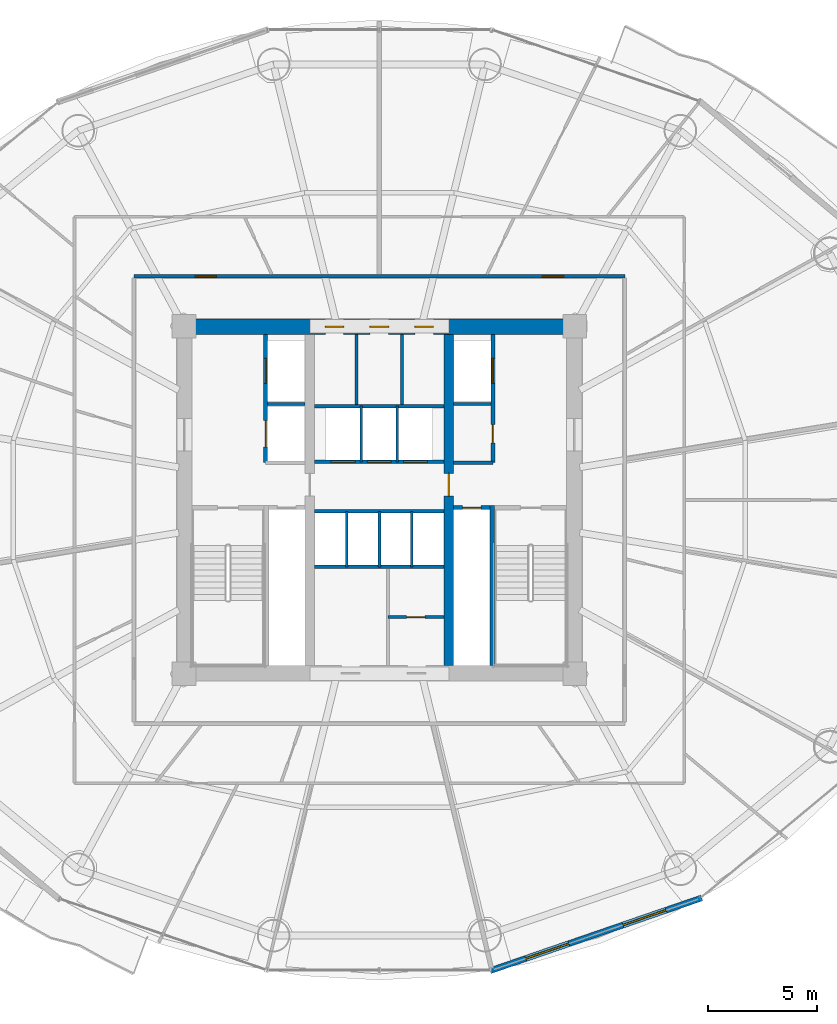
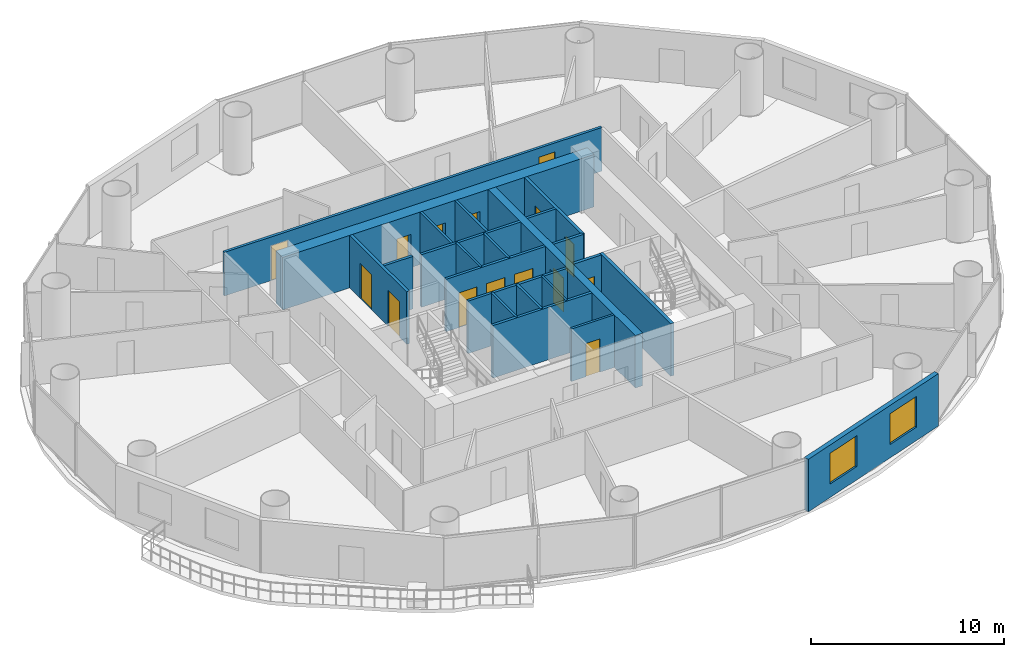
# One storey, part 23 of 29: 23 walls, 15 doors, 2 windows, 17 openings.
"""IFC4 building model written with IfcOpenShell, lengths in metres."""

from ifc_helpers import new_model, si_unit, direction, frame, frame_2d, origin, place, context, subcontext, project, spatial, rectangle, extrude, source, transform, mapped, material, layer, layer_set, type_object, element, fill, save


model = new_model("IFC4")

# Units and contexts
model_context = context("Model", 3, precision=1e-05, world=origin(), true_north=direction((-0.2419218956, 0.970295726276)))
body_context = subcontext(model_context, "Body", "Model", "MODEL_VIEW")
ifc_project = project(units=[si_unit("LENGTHUNIT", "METRE"), si_unit("AREAUNIT", "SQUARE_METRE"), si_unit("VOLUMEUNIT", "CUBIC_METRE"), si_unit("PLANEANGLEUNIT", "RADIAN"), si_unit("MASSUNIT", "GRAM", prefix="KILO")], contexts=[model_context])

# Site, building, storey
site_placement = place(None, origin())
site = spatial("IfcSite", under=ifc_project, at=site_placement, CompositionType="ELEMENT")
building_placement = place(site_placement, origin())
building = spatial("IfcBuilding", under=site, at=building_placement, Name="Cobrevalo Terracotta Tower", CompositionType="ELEMENT")
storey_placement = place(building_placement, frame((0.0, 0.0, 79.800048828125)))
storey = spatial("IfcBuildingStorey", under=building, at=storey_placement, Name="L20", CompositionType="ELEMENT", Elevation=79.800048828125)

# Wall, openings, doors
ifc_material_1 = material(Name="Concrete C60", Category="concrete")
ifc_layer_1 = layer(ifc_material_1, 0.699951171875)
ifc_layer_set_1 = layer_set([ifc_layer_1], Name="Concrete C60")
wall_type_1 = type_object("IfcWallType", Name="Core shear wall 700 mm Concrete C60", PredefinedType="SHEAR", material=ifc_layer_set_1)
wall_1_placement = place(storey_placement, frame((28.675048828125, 34.77490234375, 0.0), z_axis=(0.0, 0.0, 1.0), x_axis=(1.0, 0.0, 0.0)))
wall_1 = element("IfcWall", 1, at=wall_1_placement, inside=storey, type_object=wall_type_1, Name="L20 north core shear wall", PredefinedType="SHEAR", context=body_context, shape_type="SweptSolid", body=[
    extrude(rectangle(XDim=18.64990234375, YDim=0.699951171875, at=frame_2d((9.324951171875, 0.0))), origin(), (0.0, 0.0, 1.0), 3.324951171875),
])
opening_1_placement = place(wall_1_placement, frame((6.83740234375, 0.0, 0.0)))
opening_1 = element("IfcOpeningElement", 2, at=opening_1_placement, cuts=wall_1, Name="Opening ID-22", PredefinedType="OPENING", context=body_context, shape_type="SweptSolid", body=[
    extrude(rectangle(XDim=0.85009765625, YDim=2.10009765625, at=frame_2d((0.425048828125, 1.050048828125))), frame((0.0, 0.35986328125, 0.0), z_axis=(0.0, -1.0, 0.0), x_axis=(1.0, 0.0, 0.0)), (0.0, 0.0, 1.0), 0.719970703125),
])
opening_2_placement = place(wall_1_placement, frame((8.89501953125, 0.0, 0.0)))
opening_2 = element("IfcOpeningElement", 3, at=opening_2_placement, cuts=wall_1, Name="Opening ID-07", PredefinedType="OPENING", context=body_context, shape_type="SweptSolid", body=[
    extrude(rectangle(XDim=0.860107421875, YDim=2.10009765625, at=frame_2d((0.43017578125, 1.050048828125))), frame((0.0, 0.35986328125, 0.0), z_axis=(0.0, -1.0, 0.0), x_axis=(1.0, 0.0, 0.0)), (0.0, 0.0, 1.0), 0.719970703125),
])
opening_3_placement = place(wall_1_placement, frame((10.96240234375, 0.0, 0.0)))
opening_3 = element("IfcOpeningElement", 4, at=opening_3_placement, cuts=wall_1, Name="Opening ID-22", PredefinedType="OPENING", context=body_context, shape_type="SweptSolid", body=[
    extrude(rectangle(XDim=0.85009765625, YDim=2.10009765625, at=frame_2d((0.425048828125, 1.050048828125))), frame((0.0, 0.35986328125, 0.0), z_axis=(0.0, -1.0, 0.0), x_axis=(1.0, 0.0, 0.0)), (0.0, 0.0, 1.0), 0.719970703125),
])
ifc_material_2 = material(Name="Powder-coated steel", Category="steel")
door_type_1 = type_object("IfcDoorType", Name="Riser shaft & meter closet fire access door 850x2100 EI 60", OperationType="NOTDEFINED", PredefinedType="DOOR", material=ifc_material_2)
shared_shape_1 = source(origin(), body_context, "Body", "SweptSolid", [
    extrude(rectangle(XDim=0.85009765625, YDim=2.10009765625, at=frame_2d((0.425048828125, 1.050048828125))), frame((0.0, 0.02490234375, 0.0), z_axis=(0.0, -1.0, 0.0), x_axis=(1.0, 0.0, 0.0)), (0.0, 0.0, 1.0), 0.050048828125),
])
door_1_placement = place(opening_1_placement, frame((0.85009765625, 0.0, 0.0), z_axis=(0.0, 0.0, 1.0), x_axis=(-1.0, 0.0, 0.0)))
door_1 = element("IfcDoor", 5, at=door_1_placement, inside=storey, type_object=door_type_1, Name="L20 core north service door Housekeeping Linen Store", OperationType="SINGLE_SWING_LEFT", OverallHeight=2.10009765625, OverallWidth=0.85009765625, PredefinedType="DOOR", context=body_context, shape_type="MappedRepresentation", body=[
    mapped(shared_shape_1, transform((0.0, 0.0, 0.0), scale=1.0)),
])
fill(opening_1, door_1)
door_2_placement = place(opening_3_placement, frame((0.85009765625, 0.0, 0.0), z_axis=(0.0, 0.0, 1.0), x_axis=(-1.0, 0.0, 0.0)))
door_2 = element("IfcDoor", 6, at=door_2_placement, inside=storey, type_object=door_type_1, Name="L20 core north service door Floor BMS Mechanical Plant", OperationType="SINGLE_SWING_LEFT", OverallHeight=2.10009765625, OverallWidth=0.85009765625, PredefinedType="DOOR", context=body_context, shape_type="MappedRepresentation", body=[
    mapped(shared_shape_1, transform((0.0, 0.0, 0.0), scale=1.0)),
])
fill(opening_3, door_2)
ifc_material_3 = material(Name="Fire-rated moisture-sealed timber", Category="wood")
door_type_2 = type_object("IfcDoorType", Name="Core & podium fire-rated accessible WC door 860x2100 EI 60", OperationType="NOTDEFINED", PredefinedType="DOOR", material=ifc_material_3)
shared_shape_2 = source(origin(), body_context, "Body", "SweptSolid", [
    extrude(rectangle(XDim=0.860107421875, YDim=2.10009765625, at=frame_2d((0.43017578125, 1.050048828125))), frame((0.0, 0.02490234375, 0.0), z_axis=(0.0, -1.0, 0.0), x_axis=(1.0, 0.0, 0.0)), (0.0, 0.0, 1.0), 0.050048828125),
])
door_3_placement = place(opening_2_placement, frame((0.860107421875, 0.0, 0.0), z_axis=(0.0, 0.0, 1.0), x_axis=(-1.0, 0.0, 0.0)))
door_3 = element("IfcDoor", 7, at=door_3_placement, inside=storey, type_object=door_type_2, Name="L20 core north service door Floor Service Toilet WC", OperationType="SINGLE_SWING_RIGHT", OverallHeight=2.10009765625, OverallWidth=0.860107421875, PredefinedType="DOOR", context=body_context, shape_type="MappedRepresentation", body=[
    mapped(shared_shape_2, transform((0.0, 0.0, 0.0), scale=1.0)),
])
fill(opening_2, door_3)

# Walls
ifc_material_4 = material(Name="Gypsum board on steel stud", Category="steel")
ifc_layer_2 = layer(ifc_material_4, 0.159912109375)
ifc_layer_set_2 = layer_set([ifc_layer_2], Name="Gypsum board on steel stud")
wall_type_2 = type_object("IfcWallType", Name="Fire-rated corridor acoustic partition wall 160 mm", PredefinedType="PARTITIONING", material=ifc_layer_set_2)
for number, where, z_axis, x_axis, name in (
    (8, (32.860107421875, 31.219970703125, 0.0), (0.0, 0.0, 1.0), (1.0, 0.0, 0.0), "L20 interior partition IW-L20-FF1-M"),
    (9, (41.425048828125, 31.219970703125, 0.0), (0.0, 0.0, 1.0), (1.0, 0.0, 0.0), "L20 interior partition IW-L20-FF2-M"),
):
    element("IfcWall", number, at=place(storey_placement, frame(where, z_axis=z_axis, x_axis=x_axis)), inside=storey, type_object=wall_type_2, Name=name, PredefinedType="PARTITIONING", context=body_context, shape_type="SweptSolid", body=[
        extrude(rectangle(XDim=1.71484375, YDim=0.159912109375, at=frame_2d((0.857421875, 0.0))), origin(), (0.0, 0.0, 1.0), 3.324951171875),
    ])
wall_2_placement = place(storey_placement, frame((41.425048828125, 28.52001953125, 0.0), z_axis=(0.0, 0.0, 1.0), x_axis=(1.0, 0.0, 0.0)))
element("IfcWall", 10, at=wall_2_placement, inside=storey, type_object=wall_type_2, Name="L20 interior partition IW-L20-FF2-S", PredefinedType="PARTITIONING", context=body_context, shape_type="SweptSolid", body=[
    extrude(rectangle(XDim=1.804931640625, YDim=0.159912109375, at=frame_2d((0.90234375, 0.0))), origin(), (0.0, 0.0, 1.0), 3.324951171875),
])

# Wall, openings, doors
wall_3_placement = place(storey_placement, frame((35.02490234375, 28.56005859375, 0.0), z_axis=(0.0, 0.0, 1.0), x_axis=(1.0, 0.0, 0.0)))
wall_3 = element("IfcWall", 11, at=wall_3_placement, inside=storey, type_object=wall_type_2, Name="L20 interior partition IW-L20-LB-S", PredefinedType="PARTITIONING", context=body_context, shape_type="SweptSolid", body=[
    extrude(rectangle(XDim=5.9501953125, YDim=0.159912109375, at=frame_2d((2.97509765625, 0.0))), origin(), (0.0, 0.0, 1.0), 3.324951171875),
])
opening_4_placement = place(wall_3_placement, frame((0.760009765625, 0.0, 0.0)))
opening_4 = element("IfcOpeningElement", 12, at=opening_4_placement, cuts=wall_3, Name="Opening LD-01", PredefinedType="OPENING", context=body_context, shape_type="SweptSolid", body=[
    extrude(rectangle(XDim=1.10009765625, YDim=2.199951171875, at=frame_2d((0.550048828125, 1.10009765625))), frame((0.0, 0.08984375, 0.0), z_axis=(0.0, -1.0, 0.0), x_axis=(1.0, 0.0, 0.0)), (0.0, 0.0, 1.0), 0.179931640625),
])
opening_5_placement = place(wall_3_placement, frame((2.425048828125, 0.0, 0.0)))
opening_5 = element("IfcOpeningElement", 13, at=opening_5_placement, cuts=wall_3, Name="Opening LD-01", PredefinedType="OPENING", context=body_context, shape_type="SweptSolid", body=[
    extrude(rectangle(XDim=1.10009765625, YDim=2.199951171875, at=frame_2d((0.550048828125, 1.10009765625))), frame((0.0, 0.08984375, 0.0), z_axis=(0.0, -1.0, 0.0), x_axis=(1.0, 0.0, 0.0)), (0.0, 0.0, 1.0), 0.179931640625),
])
opening_6_placement = place(wall_3_placement, frame((4.090087890625, 0.0, 0.0)))
opening_6 = element("IfcOpeningElement", 14, at=opening_6_placement, cuts=wall_3, Name="Opening LD-01", PredefinedType="OPENING", context=body_context, shape_type="SweptSolid", body=[
    extrude(rectangle(XDim=1.10009765625, YDim=2.199951171875, at=frame_2d((0.550048828125, 1.10009765625))), frame((0.0, 0.08984375, 0.0), z_axis=(0.0, -1.0, 0.0), x_axis=(1.0, 0.0, 0.0)), (0.0, 0.0, 1.0), 0.179931640625),
])
ifc_material_5 = material(Name="Brushed stainless steel", Category="steel")
door_type_3 = type_object("IfcDoorType", Name="Passenger lift landing bi-parting sliding door 1100x2200 EI 90", OperationType="DOUBLE_DOOR_SLIDING", PredefinedType="DOOR", material=ifc_material_5)
shared_shape_3 = source(origin(), body_context, "Body", "SweptSolid", [
    extrude(rectangle(XDim=1.10009765625, YDim=2.199951171875, at=frame_2d((0.550048828125, 1.10009765625))), frame((0.0, 0.02490234375, 0.0), z_axis=(0.0, -1.0, 0.0), x_axis=(1.0, 0.0, 0.0)), (0.0, 0.0, 1.0), 0.050048828125),
])
door_4_placement = place(opening_4_placement, origin())
door_4 = element("IfcDoor", 15, at=door_4_placement, inside=storey, type_object=door_type_3, Name="L20 lift landing door PL-L1", OperationType="DOUBLE_DOOR_SLIDING", OverallHeight=2.199951171875, OverallWidth=1.10009765625, PredefinedType="DOOR", context=body_context, shape_type="MappedRepresentation", body=[
    mapped(shared_shape_3, transform((0.0, 0.0, 0.0), scale=1.0)),
])
fill(opening_4, door_4)
door_5_placement = place(opening_5_placement, origin())
door_5 = element("IfcDoor", 16, at=door_5_placement, inside=storey, type_object=door_type_3, Name="L20 lift landing door PL-L2", OperationType="DOUBLE_DOOR_SLIDING", OverallHeight=2.199951171875, OverallWidth=1.10009765625, PredefinedType="DOOR", context=body_context, shape_type="MappedRepresentation", body=[
    mapped(shared_shape_3, transform((0.0, 0.0, 0.0), scale=1.0)),
])
fill(opening_5, door_5)
door_6_placement = place(opening_6_placement, origin())
door_6 = element("IfcDoor", 17, at=door_6_placement, inside=storey, type_object=door_type_3, Name="L20 lift landing door PL-L3", OperationType="DOUBLE_DOOR_SLIDING", OverallHeight=2.199951171875, OverallWidth=1.10009765625, PredefinedType="DOOR", context=body_context, shape_type="MappedRepresentation", body=[
    mapped(shared_shape_3, transform((0.0, 0.0, 0.0), scale=1.0)),
])
fill(opening_6, door_6)

# Walls
for number, where, z_axis, x_axis, name in (
    (18, (35.02490234375, 31.1201171875, 0.0), (0.0, 0.0, 1.0), (1.0, 0.0, 0.0), "L20 interior partition IW-L20-LB-N"),
    (19, (35.02490234375, 26.280029296875, 0.0), (0.0, 0.0, 1.0), (1.0, 0.0, 0.0), "L20 interior partition IW-L20-MB-N"),
    (20, (35.02490234375, 23.719970703125, 0.0), (0.0, 0.0, 1.0), (1.0, 0.0, 0.0), "L20 interior partition IW-L20-MB-S"),
):
    element("IfcWall", number, at=place(storey_placement, frame(where, z_axis=z_axis, x_axis=x_axis)), inside=storey, type_object=wall_type_2, Name=name, PredefinedType="PARTITIONING", context=body_context, shape_type="SweptSolid", body=[
        extrude(rectangle(XDim=5.9501953125, YDim=0.159912109375, at=frame_2d((2.97509765625, 0.0))), origin(), (0.0, 0.0, 1.0), 3.324951171875),
    ])

# Wall, openings, doors
wall_4_placement = place(storey_placement, frame((26.695068359375, 37.10498046875, 0.0), z_axis=(0.0, 0.0, 1.0), x_axis=(1.0, 0.0, 0.0)))
wall_4 = element("IfcWall", 21, at=wall_4_placement, inside=storey, type_object=wall_type_2, Name="L20 interior partition IW-L20-COR-N", PredefinedType="PARTITIONING", context=body_context, shape_type="SweptSolid", body=[
    extrude(rectangle(XDim=22.60986328125, YDim=0.159912109375, at=frame_2d((11.304931640625, 0.0))), origin(), (0.0, 0.0, 1.0), 2.766845703125),
])
opening_7_placement = place(wall_4_placement, frame((18.8115234375, 0.0, 0.0)))
opening_7 = element("IfcOpeningElement", 22, at=opening_7_placement, cuts=wall_4, Name="Opening ID-05", PredefinedType="OPENING", context=body_context, shape_type="SweptSolid", body=[
    extrude(rectangle(XDim=0.97998046875, YDim=2.199951171875, at=frame_2d((0.489990234375, 1.10009765625))), frame((0.0, 0.08984375, 0.0), z_axis=(0.0, -1.0, 0.0), x_axis=(1.0, 0.0, 0.0)), (0.0, 0.0, 1.0), 0.179931640625),
])
opening_8_placement = place(wall_4_placement, frame((2.8232421875, 0.0, 0.0)))
opening_8 = element("IfcOpeningElement", 23, at=opening_8_placement, cuts=wall_4, Name="Opening ID-05", PredefinedType="OPENING", context=body_context, shape_type="SweptSolid", body=[
    extrude(rectangle(XDim=0.97998046875, YDim=2.199951171875, at=frame_2d((0.489990234375, 1.10009765625))), frame((0.0, 0.08984375, 0.0), z_axis=(0.0, -1.0, 0.0), x_axis=(1.0, 0.0, 0.0)), (0.0, 0.0, 1.0), 0.179931640625),
])
ifc_material_6 = material(Name="Solid hardwood timber", Category="wood")
door_type_4 = type_object("IfcDoorType", Name="Residence entrance fire-rated acoustic timber door 980x2200 EI 60", OperationType="NOTDEFINED", PredefinedType="DOOR", material=ifc_material_6)
shared_shape_4 = source(origin(), body_context, "Body", "SweptSolid", [
    extrude(rectangle(XDim=0.97998046875, YDim=2.199951171875, at=frame_2d((0.489990234375, 1.10009765625))), frame((0.0, 0.02490234375, 0.0), z_axis=(0.0, -1.0, 0.0), x_axis=(1.0, 0.0, 0.0)), (0.0, 0.0, 1.0), 0.050048828125),
])
door_7_placement = place(opening_7_placement, frame((0.97998046875, 0.0, 0.0), z_axis=(0.0, 0.0, 1.0), x_axis=(-1.0, 0.0, 0.0)))
door_7 = element("IfcDoor", 24, at=door_7_placement, inside=storey, type_object=door_type_4, Name="Flat L20A fire-rated apartment entrance door", OperationType="SINGLE_SWING_RIGHT", OverallHeight=2.199951171875, OverallWidth=0.97998046875, PredefinedType="DOOR", context=body_context, shape_type="MappedRepresentation", body=[
    mapped(shared_shape_4, transform((0.0, 0.0, 0.0), scale=1.0)),
])
fill(opening_7, door_7)
door_8_placement = place(opening_8_placement, frame((0.97998046875, 0.0, 0.0), z_axis=(0.0, 0.0, 1.0), x_axis=(-1.0, 0.0, 0.0)))
door_8 = element("IfcDoor", 25, at=door_8_placement, inside=storey, type_object=door_type_4, Name="Flat L20B fire-rated apartment entrance door", OperationType="SINGLE_SWING_LEFT", OverallHeight=2.199951171875, OverallWidth=0.97998046875, PredefinedType="DOOR", context=body_context, shape_type="MappedRepresentation", body=[
    mapped(shared_shape_4, transform((0.0, 0.0, 0.0), scale=1.0)),
])
fill(opening_8, door_8)

# Wall, opening, door
ifc_layer_3 = layer(ifc_material_4, 0.179931640625)
ifc_layer_set_3 = layer_set([ifc_layer_3], Name="Gypsum board on steel stud")
wall_type_3 = type_object("IfcWallType", Name="Fire-rated shaft & lobby acoustic partition wall 180 mm", PredefinedType="PARTITIONING", material=ifc_layer_set_3)
wall_5_placement = place(storey_placement, frame((41.425048828125, 26.449951171875, 0.0), z_axis=(0.0, 0.0, 1.0), x_axis=(1.0, 0.0, 0.0)))
wall_5 = element("IfcWall", 26, at=wall_5_placement, inside=storey, type_object=wall_type_3, Name="L20 interior partition IW-L20-RSE-N", PredefinedType="PARTITIONING", context=body_context, shape_type="SweptSolid", body=[
    extrude(rectangle(XDim=1.675048828125, YDim=0.179931640625, at=frame_2d((0.83740234375, 0.0))), origin(), (0.0, 0.0, 1.0), 3.324951171875),
])
opening_9_placement = place(wall_5_placement, frame((0.41259765625, 0.0, 0.0)))
opening_9 = element("IfcOpeningElement", 27, at=opening_9_placement, cuts=wall_5, Name="Opening ID-22", PredefinedType="OPENING", context=body_context, shape_type="SweptSolid", body=[
    extrude(rectangle(XDim=0.85009765625, YDim=2.10009765625, at=frame_2d((0.425048828125, 1.050048828125))), frame((0.0, 0.10009765625, 0.0), z_axis=(0.0, -1.0, 0.0), x_axis=(1.0, 0.0, 0.0)), (0.0, 0.0, 1.0), 0.199951171875),
])
door_9_placement = place(opening_9_placement, origin())
door_9 = element("IfcDoor", 28, at=door_9_placement, inside=storey, type_object=door_type_1, Name="L20 riser access door RSE", OperationType="SINGLE_SWING_RIGHT", OverallHeight=2.10009765625, OverallWidth=0.85009765625, PredefinedType="DOOR", context=body_context, shape_type="MappedRepresentation", body=[
    mapped(shared_shape_1, transform((0.0, 0.0, 0.0), scale=1.0)),
])
fill(opening_9, door_9)

# Wall, openings, doors
wall_6_placement = place(storey_placement, frame((32.77001953125, 28.52001953125, 0.0), z_axis=(0.0, 0.0, 1.0), x_axis=(0.0, 1.0, 0.0)))
wall_6 = element("IfcWall", 29, at=wall_6_placement, inside=storey, type_object=wall_type_3, Name="L20 interior partition IW-L20-FF1-W", PredefinedType="PARTITIONING", context=body_context, shape_type="SweptSolid", body=[
    extrude(rectangle(XDim=5.905029296875, YDim=0.179931640625, at=frame_2d((2.95263671875, 0.0))), origin(), (0.0, 0.0, 1.0), 3.324951171875),
])
opening_10_placement = place(wall_6_placement, frame((3.655029296875, 0.0, 0.0)))
opening_10 = element("IfcOpeningElement", 30, at=opening_10_placement, cuts=wall_6, Name="Opening LD-02", PredefinedType="OPENING", context=body_context, shape_type="SweptSolid", body=[
    extrude(rectangle(XDim=1.14990234375, YDim=2.199951171875, at=frame_2d((0.574951171875, 1.10009765625))), frame((0.0, 0.10009765625, 0.0), z_axis=(0.0, -1.0, 0.0), x_axis=(1.0, 0.0, 0.0)), (0.0, 0.0, 1.0), 0.199951171875),
])
opening_11_placement = place(wall_6_placement, frame((0.72998046875, 0.0, 0.0)))
opening_11 = element("IfcOpeningElement", 31, at=opening_11_placement, cuts=wall_6, Name="Opening LD-03", PredefinedType="OPENING", context=body_context, shape_type="SweptSolid", body=[
    extrude(rectangle(XDim=1.199951171875, YDim=2.25, at=frame_2d((0.60009765625, 1.125))), frame((0.0, 0.10009765625, 0.0), z_axis=(0.0, -1.0, 0.0), x_axis=(1.0, 0.0, 0.0)), (0.0, 0.0, 1.0), 0.199951171875),
])
door_type_5 = type_object("IfcDoorType", Name="Firefighting lift landing bi-parting sliding door 1150x2200 EI 120", OperationType="DOUBLE_DOOR_SLIDING", PredefinedType="DOOR", material=ifc_material_5)
shared_shape_5 = source(origin(), body_context, "Body", "SweptSolid", [
    extrude(rectangle(XDim=1.14990234375, YDim=2.199951171875, at=frame_2d((0.574951171875, 1.10009765625))), frame((0.0, 0.02490234375, 0.0), z_axis=(0.0, -1.0, 0.0), x_axis=(1.0, 0.0, 0.0)), (0.0, 0.0, 1.0), 0.050048828125),
])
door_10_placement = place(opening_10_placement, origin())
door_10 = element("IfcDoor", 32, at=door_10_placement, inside=storey, type_object=door_type_5, Name="L20 lift landing door FF-1", OperationType="DOUBLE_DOOR_SLIDING", OverallHeight=2.199951171875, OverallWidth=1.14990234375, PredefinedType="DOOR", context=body_context, shape_type="MappedRepresentation", body=[
    mapped(shared_shape_5, transform((0.0, 0.0, 0.0), scale=1.0)),
])
fill(opening_10, door_10)
door_type_6 = type_object("IfcDoorType", Name="Service lift landing bi-parting sliding door 1200x2250 EI 120", OperationType="DOUBLE_DOOR_SLIDING", PredefinedType="DOOR", material=ifc_material_5)
shared_shape_6 = source(origin(), body_context, "Body", "SweptSolid", [
    extrude(rectangle(XDim=1.199951171875, YDim=2.25, at=frame_2d((0.60009765625, 1.125))), frame((0.0, 0.02490234375, 0.0), z_axis=(0.0, -1.0, 0.0), x_axis=(1.0, 0.0, 0.0)), (0.0, 0.0, 1.0), 0.050048828125),
])
door_11_placement = place(opening_11_placement, origin())
door_11 = element("IfcDoor", 33, at=door_11_placement, inside=storey, type_object=door_type_6, Name="L20 lift landing door SV-1", OperationType="DOUBLE_DOOR_SLIDING", OverallHeight=2.25, OverallWidth=1.199951171875, PredefinedType="DOOR", context=body_context, shape_type="MappedRepresentation", body=[
    mapped(shared_shape_6, transform((0.0, 0.0, 0.0), scale=1.0)),
])
fill(opening_11, door_11)

wall_7_placement = place(storey_placement, frame((43.22998046875, 28.52001953125, 0.0), z_axis=(0.0, 0.0, 1.0), x_axis=(0.0, 1.0, 0.0)))
wall_7 = element("IfcWall", 34, at=wall_7_placement, inside=storey, type_object=wall_type_3, Name="L20 interior partition IW-L20-FF2-E", PredefinedType="PARTITIONING", context=body_context, shape_type="SweptSolid", body=[
    extrude(rectangle(XDim=5.905029296875, YDim=0.179931640625, at=frame_2d((2.95263671875, 0.0))), origin(), (0.0, 0.0, 1.0), 3.324951171875),
])
opening_12_placement = place(wall_7_placement, frame((0.905029296875, 0.0, 0.0)))
opening_12 = element("IfcOpeningElement", 35, at=opening_12_placement, cuts=wall_7, Name="Opening ID-22", PredefinedType="OPENING", context=body_context, shape_type="SweptSolid", body=[
    extrude(rectangle(XDim=0.85009765625, YDim=2.10009765625, at=frame_2d((0.425048828125, 1.050048828125))), frame((0.0, 0.10009765625, 0.0), z_axis=(0.0, -1.0, 0.0), x_axis=(1.0, 0.0, 0.0)), (0.0, 0.0, 1.0), 0.199951171875),
])
opening_13_placement = place(wall_7_placement, frame((3.655029296875, 0.0, 0.0)))
opening_13 = element("IfcOpeningElement", 36, at=opening_13_placement, cuts=wall_7, Name="Opening LD-02", PredefinedType="OPENING", context=body_context, shape_type="SweptSolid", body=[
    extrude(rectangle(XDim=1.14990234375, YDim=2.199951171875, at=frame_2d((0.574951171875, 1.10009765625))), frame((0.0, 0.10009765625, 0.0), z_axis=(0.0, -1.0, 0.0), x_axis=(1.0, 0.0, 0.0)), (0.0, 0.0, 1.0), 0.199951171875),
])
door_12_placement = place(opening_12_placement, frame((0.85009765625, 0.0, 0.0), z_axis=(0.0, 0.0, 1.0), x_axis=(-1.0, 0.0, 0.0)))
door_12 = element("IfcDoor", 37, at=door_12_placement, inside=storey, type_object=door_type_1, Name="L20 housekeeping store door", OperationType="SINGLE_SWING_RIGHT", OverallHeight=2.10009765625, OverallWidth=0.85009765625, PredefinedType="DOOR", context=body_context, shape_type="MappedRepresentation", body=[
    mapped(shared_shape_1, transform((0.0, 0.0, 0.0), scale=1.0)),
])
fill(opening_12, door_12)
door_13_placement = place(opening_13_placement, origin())
door_13 = element("IfcDoor", 38, at=door_13_placement, inside=storey, type_object=door_type_5, Name="L20 lift landing door FF-2", OperationType="DOUBLE_DOOR_SLIDING", OverallHeight=2.199951171875, OverallWidth=1.14990234375, PredefinedType="DOOR", context=body_context, shape_type="MappedRepresentation", body=[
    mapped(shared_shape_5, transform((0.0, 0.0, 0.0), scale=1.0)),
])
fill(opening_13, door_13)

# Walls
ifc_material_7 = material(Name="Autoclaved aerated concrete block", Category="concrete")
ifc_layer_4 = layer(ifc_material_7, 0.1201171875)
ifc_layer_set_4 = layer_set([ifc_layer_4], Name="Autoclaved aerated concrete block")
wall_type_4 = type_object("IfcWallType", Name="Fire-rated wet-room & core service partition 120 mm", PredefinedType="PARTITIONING", material=ifc_layer_set_4)
for number, where, z_axis, x_axis, name in (
    (39, (37.169921875, 28.56005859375, 0.0), (0.0, 0.0, 1.0), (0.0, 1.0, 0.0), "L20 interior partition IW-L20-LB-D1"),
    (40, (38.830078125, 28.56005859375, 0.0), (0.0, 0.0, 1.0), (0.0, 1.0, 0.0), "L20 interior partition IW-L20-LB-D2"),
    (41, (36.5, 23.719970703125, 0.0), (0.0, 0.0, 1.0), (0.0, 1.0, 0.0), "L20 interior partition IW-L20-MB-D1"),
    (42, (39.5, 23.719970703125, 0.0), (0.0, 0.0, 1.0), (0.0, 1.0, 0.0), "L20 interior partition IW-L20-MB-D3"),
):
    element("IfcWall", number, at=place(storey_placement, frame(where, z_axis=z_axis, x_axis=x_axis)), inside=storey, type_object=wall_type_4, Name=name, PredefinedType="PARTITIONING", context=body_context, shape_type="SweptSolid", body=[
        extrude(rectangle(XDim=2.56005859375, YDim=0.1201171875, at=frame_2d((1.280029296875, 0.0))), origin(), (0.0, 0.0, 1.0), 3.324951171875),
    ])

# Wall, openings, windows
ifc_layer_5 = layer(ifc_material_7, 0.280029296875)
ifc_layer_set_5 = layer_set([ifc_layer_5], Name="Autoclaved aerated concrete block")
wall_type_5 = type_object("IfcWallType", Name="Insulated tower spandrel & pier wall 280 mm with terracotta rainscreen", PredefinedType="SOLIDWALL", material=ifc_layer_set_5)
wall_8_placement = place(storey_placement, frame((43.10791015625, 5.1279296875, 0.0), z_axis=(0.0, 0.0, 1.0), x_axis=(0.945590132341, 0.325360264351, 0.0)))
wall_8 = element("IfcWall", 43, at=wall_8_placement, inside=storey, type_object=wall_type_5, Name="L20 terracotta rainscreen pier wall S13", PredefinedType="SOLIDWALL", context=body_context, shape_type="SweptSolid", body=[
    extrude(rectangle(XDim=10.2890625, YDim=0.280029296875, at=frame_2d((5.14453125, 0.0))), origin(), (0.0, 0.0, 1.0), 3.324951171875),
])
opening_14_placement = place(wall_8_placement, frame((1.72802734375, 0.0, 0.85009765625)))
opening_14 = element("IfcOpeningElement", 44, at=opening_14_placement, cuts=wall_8, Name="Opening WN-10", PredefinedType="OPENING", context=body_context, shape_type="SweptSolid", body=[
    extrude(rectangle(XDim=2.10009765625, YDim=1.949951171875, at=frame_2d((1.050048828125, 0.97509765625))), frame((0.0, 0.14990234375, 0.0), z_axis=(0.0, -1.0, 0.0), x_axis=(1.0, 0.0, 0.0)), (0.0, 0.0, 1.0), 0.300048828125),
])
opening_15_placement = place(wall_8_placement, frame((6.4609375, 0.0, 0.85009765625)))
opening_15 = element("IfcOpeningElement", 45, at=opening_15_placement, cuts=wall_8, Name="Opening WN-10", PredefinedType="OPENING", context=body_context, shape_type="SweptSolid", body=[
    extrude(rectangle(XDim=2.10009765625, YDim=1.949951171875, at=frame_2d((1.050048828125, 0.97509765625))), frame((0.0, 0.14990234375, 0.0), z_axis=(0.0, -1.0, 0.0), x_axis=(1.0, 0.0, 0.0)), (0.0, 0.0, 1.0), 0.300048828125),
])
ifc_material_8 = material(Name="Solar-control low-E double glazing", Category="glass")
window_type = type_object("IfcWindowType", Name="Wide panoramic low-E aluminium window 2100x1950", PartitioningType="SINGLE_PANEL", PredefinedType="WINDOW", material=ifc_material_8)
shared_shape_7 = source(origin(), body_context, "Body", "SweptSolid", [
    extrude(rectangle(XDim=2.10009765625, YDim=1.949951171875, at=frame_2d((1.050048828125, 0.97509765625))), frame((0.0, 0.030029296875, 0.0), z_axis=(0.0, -1.0, 0.0), x_axis=(1.0, 0.0, 0.0)), (0.0, 0.0, 1.0), 0.06005859375),
])
window_1_placement = place(opening_14_placement, origin())
window_1 = element("IfcWindow", 46, at=window_1_placement, inside=storey, type_object=window_type, Name="L20 suite window S13A", OverallHeight=1.949951171875, OverallWidth=2.10009765625, PartitioningType="SINGLE_PANEL", PredefinedType="WINDOW", context=body_context, shape_type="MappedRepresentation", body=[
    mapped(shared_shape_7, transform((0.0, 0.0, 0.0), scale=1.0)),
])
fill(opening_14, window_1)
window_2_placement = place(opening_15_placement, origin())
window_2 = element("IfcWindow", 47, at=window_2_placement, inside=storey, type_object=window_type, Name="L20 suite window S13B", OverallHeight=1.949951171875, OverallWidth=2.10009765625, PartitioningType="SINGLE_PANEL", PredefinedType="WINDOW", context=body_context, shape_type="MappedRepresentation", body=[
    mapped(shared_shape_7, transform((0.0, 0.0, 0.0), scale=1.0)),
])
fill(opening_15, window_2)

# Wall, opening, door
ifc_material_9 = material(Name="Concrete C55", Category="concrete")
ifc_layer_6 = layer(ifc_material_9, 0.449951171875)
ifc_layer_set_6 = layer_set([ifc_layer_6], Name="Concrete C55")
wall_type_6 = type_object("IfcWallType", Name="Internal core shear web wall 450 mm Concrete C55", PredefinedType="SHEAR", material=ifc_layer_set_6)
wall_9_placement = place(storey_placement, frame((41.199951171875, 19.175048828125, 0.0), z_axis=(0.0, 0.0, 1.0), x_axis=(0.0, 1.0, 0.0)))
wall_9 = element("IfcWall", 48, at=wall_9_placement, inside=storey, type_object=wall_type_6, Name="L20 internal core shear wall WEB-E", PredefinedType="SHEAR", context=body_context, shape_type="SweptSolid", body=[
    extrude(rectangle(XDim=15.25, YDim=0.449951171875, at=frame_2d((7.625, 0.0))), origin(), (0.0, 0.0, 1.0), 3.324951171875),
])
opening_16_placement = place(wall_9_placement, frame((7.800048828125, 0.0, 0.0)))
opening_16 = element("IfcOpeningElement", 49, at=opening_16_placement, cuts=wall_9, Name="Opening ID-11", PredefinedType="OPENING", context=body_context, shape_type="SweptSolid", body=[
    extrude(rectangle(XDim=1.050048828125, YDim=2.14990234375, at=frame_2d((0.52490234375, 1.074951171875))), frame((0.0, 0.23486328125, 0.0), z_axis=(0.0, -1.0, 0.0), x_axis=(1.0, 0.0, 0.0)), (0.0, 0.0, 1.0), 0.469970703125),
])
ifc_material_10 = material(Name="Galvanized fire-rated steel", Category="steel")
door_type_7 = type_object("IfcDoorType", Name="Core concourse cross fire door 1050x2150 EI 90", OperationType="NOTDEFINED", PredefinedType="DOOR", material=ifc_material_10)
shared_shape_8 = source(origin(), body_context, "Body", "SweptSolid", [
    extrude(rectangle(XDim=1.050048828125, YDim=2.14990234375, at=frame_2d((0.52490234375, 1.074951171875))), frame((0.0, 0.02490234375, 0.0), z_axis=(0.0, -1.0, 0.0), x_axis=(1.0, 0.0, 0.0)), (0.0, 0.0, 1.0), 0.050048828125),
])
door_14_placement = place(opening_16_placement, frame((1.050048828125, 0.0, 0.0), z_axis=(0.0, 0.0, 1.0), x_axis=(-1.0, 0.0, 0.0)))
door_14 = element("IfcDoor", 50, at=door_14_placement, inside=storey, type_object=door_type_7, Name="L20 east core concourse cross door", OperationType="SINGLE_SWING_RIGHT", OverallHeight=2.14990234375, OverallWidth=1.050048828125, PredefinedType="DOOR", context=body_context, shape_type="MappedRepresentation", body=[
    mapped(shared_shape_8, transform((0.0, 0.0, 0.0), scale=1.0)),
])
fill(opening_16, door_14)

# Walls
ifc_layer_7 = layer(ifc_material_7, 0.139892578125)
ifc_layer_set_7 = layer_set([ifc_layer_7], Name="Autoclaved aerated concrete block")
wall_type_7 = type_object("IfcWallType", Name="Moisture-resistant wet-room & core service partition 140 mm", PredefinedType="PARTITIONING", material=ifc_layer_set_7)
for number, where, z_axis, x_axis, name in (
    (51, (36.949951171875, 31.199951171875, 0.0), (0.0, 0.0, 1.0), (0.0, 1.0, 0.0), "L20 interior partition IW-L20-KVN-A"),
    (52, (39.050048828125, 31.199951171875, 0.0), (0.0, 0.0, 1.0), (0.0, 1.0, 0.0), "L20 interior partition IW-L20-KVN-B"),
):
    element("IfcWall", number, at=place(storey_placement, frame(where, z_axis=z_axis, x_axis=x_axis)), inside=storey, type_object=wall_type_7, Name=name, PredefinedType="PARTITIONING", context=body_context, shape_type="SweptSolid", body=[
        extrude(rectangle(XDim=3.22509765625, YDim=0.139892578125, at=frame_2d((1.612548828125, 0.0))), origin(), (0.0, 0.0, 1.0), 3.324951171875),
    ])
wall_10_placement = place(storey_placement, frame((38.0, 23.719970703125, 0.0), z_axis=(0.0, 0.0, 1.0), x_axis=(0.0, 1.0, 0.0)))
element("IfcWall", 53, at=wall_10_placement, inside=storey, type_object=wall_type_7, Name="L20 interior partition IW-L20-MB-D2", PredefinedType="PARTITIONING", context=body_context, shape_type="SweptSolid", body=[
    extrude(rectangle(XDim=2.56005859375, YDim=0.139892578125, at=frame_2d((1.280029296875, 0.0))), origin(), (0.0, 0.0, 1.0), 3.324951171875),
])

# Wall, opening, door
wall_11_placement = place(storey_placement, frame((38.39990234375, 21.407470703125, 0.0), z_axis=(0.0, 0.0, 1.0), x_axis=(1.0, 0.0, 0.0)))
wall_11 = element("IfcWall", 54, at=wall_11_placement, inside=storey, type_object=wall_type_7, Name="L20 interior partition IW-L20-KVS-L2", PredefinedType="PARTITIONING", context=body_context, shape_type="SweptSolid", body=[
    extrude(rectangle(XDim=2.5751953125, YDim=0.139892578125, at=frame_2d((1.28759765625, 0.0))), origin(), (0.0, 0.0, 1.0), 3.324951171875),
])
opening_17_placement = place(wall_11_placement, frame((0.862548828125, 0.0, 0.0)))
opening_17 = element("IfcOpeningElement", 55, at=opening_17_placement, cuts=wall_11, Name="Opening ID-22", PredefinedType="OPENING", context=body_context, shape_type="SweptSolid", body=[
    extrude(rectangle(XDim=0.85009765625, YDim=2.10009765625, at=frame_2d((0.425048828125, 1.050048828125))), frame((0.0, 0.080078125, 0.0), z_axis=(0.0, -1.0, 0.0), x_axis=(1.0, 0.0, 0.0)), (0.0, 0.0, 1.0), 0.159912109375),
])
door_15_placement = place(opening_17_placement, origin())
door_15 = element("IfcDoor", 56, at=door_15_placement, inside=storey, type_object=door_type_1, Name="L20 core KVS-L2 inner door", OperationType="SINGLE_SWING_LEFT", OverallHeight=2.10009765625, OverallWidth=0.85009765625, PredefinedType="DOOR", context=body_context, shape_type="MappedRepresentation", body=[
    mapped(shared_shape_1, transform((0.0, 0.0, 0.0), scale=1.0)),
])
fill(opening_17, door_15)

# Wall
ifc_material_11 = material(Name="Concrete C50", Category="concrete")
ifc_layer_8 = layer(ifc_material_11, 0.199951171875)
ifc_layer_set_8 = layer_set([ifc_layer_8], Name="Concrete C50")
wall_type_8 = type_object("IfcWallType", Name="Structural core & podium stair-shaft RC wall 200 mm Concrete C50", PredefinedType="SOLIDWALL", material=ifc_layer_set_8)
wall_12_placement = place(storey_placement, frame((43.205078125, 19.175048828125, 0.0), z_axis=(0.0, 0.0, 1.0), x_axis=(0.0, 1.0, 0.0)))
element("IfcWall", 57, at=wall_12_placement, inside=storey, type_object=wall_type_8, Name="L20 ST-2 west structural shaft wall", PredefinedType="SOLIDWALL", context=body_context, shape_type="SweptSolid", body=[
    extrude(rectangle(XDim=7.375, YDim=0.199951171875, at=frame_2d((3.6875, 0.0))), origin(), (0.0, 0.0, 1.0), 3.324951171875),
])

save(model, "model.ifc")
